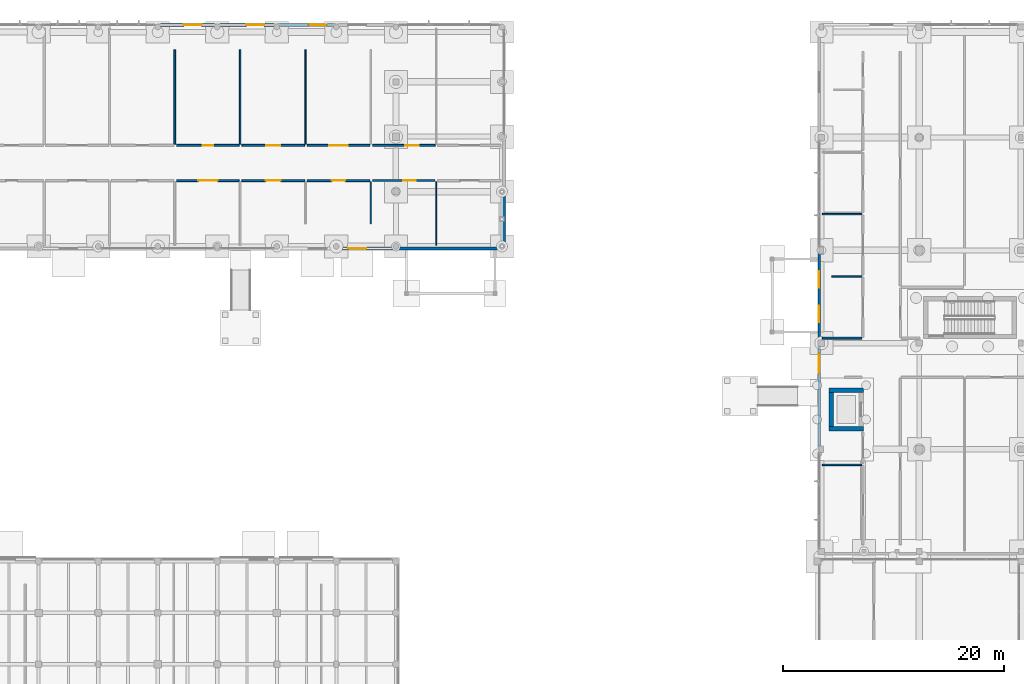
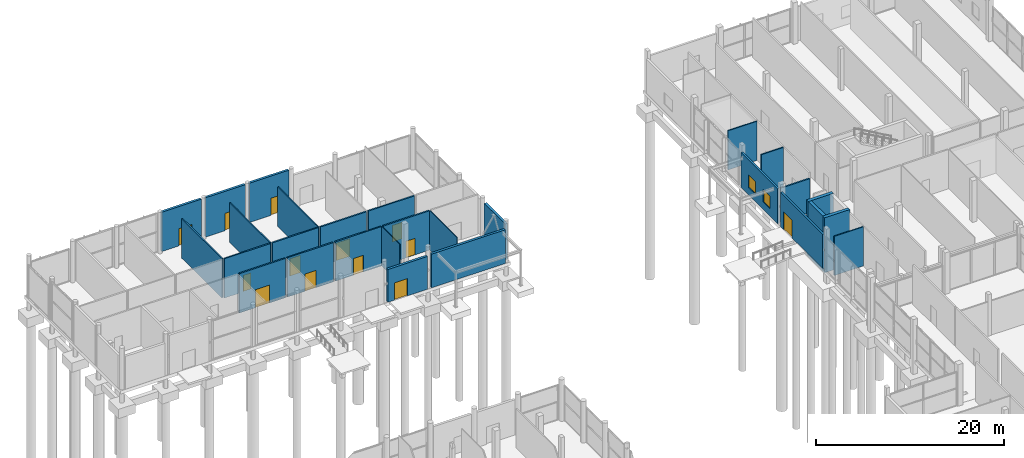
# One storey, part 65 of 88: 28 walls, 13 doors, 2 windows, 15 openings.
"""IFC4 building model written with IfcOpenShell, lengths in metres."""

from ifc_helpers import new_model, si_unit, direction, frame, frame_2d, origin, place, context, subcontext, project, spatial, rectangle, extrude, material, layer, layer_set, type_object, element, fill, save


model = new_model("IFC4")

# Units and contexts
model_context = context("Model", 3, precision=1e-05, world=origin(), true_north=direction((0.0, 1.0)))
body_context = subcontext(model_context, "Body", "Model", "MODEL_VIEW")
ifc_project = project(units=[si_unit("LENGTHUNIT", "METRE"), si_unit("AREAUNIT", "SQUARE_METRE"), si_unit("VOLUMEUNIT", "CUBIC_METRE"), si_unit("PLANEANGLEUNIT", "RADIAN"), si_unit("MASSUNIT", "GRAM", prefix="KILO")], contexts=[model_context])

# Site, building, storey
site_placement = place(None, origin())
site = spatial("IfcSite", under=ifc_project, at=site_placement, CompositionType="ELEMENT")
building_placement = place(site_placement, origin())
building = spatial("IfcBuilding", under=site, at=building_placement, Name="Birchvale Park Specialist Clinic", CompositionType="ELEMENT")
storey_placement = place(building_placement, origin())
storey = spatial("IfcBuildingStorey", under=building, at=storey_placement, Name="L00", CompositionType="ELEMENT", Elevation=0.0)

# Walls
ifc_material_1 = material(Name="Concrete C40/50", Category="concrete")
ifc_layer_1 = layer(ifc_material_1, 0.39990234375)
ifc_layer_set_1 = layer_set([ifc_layer_1], Name="Concrete C40/50")
wall_type_1 = type_object("IfcWallType", Name="WL-CW-120", PredefinedType="SHEAR", material=ifc_layer_set_1)
for number, where, z_axis, x_axis, name in (
    (1, (129.050048828125, 75.050048828125, -1.75), (0.0, 0.0, 1.0), (1.0, 0.0, 0.0), "L00 lift LP2 shaft wall (south)"),
    (2, (132.14990234375, 78.550048828125, -1.75), (0.0, 0.0, 1.0), (-1.0, 0.0, 0.0), "L00 lift LP2 shaft wall (north)"),
):
    element("IfcWall", number, at=place(storey_placement, frame(where, z_axis=z_axis, x_axis=x_axis)), inside=storey, type_object=wall_type_1, Name=name, PredefinedType="SHEAR", context=body_context, shape_type="SweptSolid", body=[
        extrude(rectangle(XDim=3.099853515625, YDim=0.39990234375, at=frame_2d((1.5498046875, 0.0))), origin(), (0.0, 0.0, 1.0), 7.14990234375),
    ])
wall_1_placement = place(storey_placement, frame((129.25, 75.25, -1.75), z_axis=(0.0, 0.0, 1.0), x_axis=(0.0, 1.0, 0.0)))
element("IfcWall", 3, at=wall_1_placement, inside=storey, type_object=wall_type_1, Name="L00 lift LP2 shaft wall (west)", PredefinedType="SHEAR", context=body_context, shape_type="SweptSolid", body=[
    extrude(rectangle(XDim=3.10009765625, YDim=0.39990234375, at=frame_2d((1.550048828125, 0.0))), origin(), (0.0, 0.0, 1.0), 7.14990234375),
])

# Wall, opening, door
ifc_material_2 = material(Name="Lime-white mineral-rendered insulated masonry", Category="masonry")
ifc_layer_2 = layer(ifc_material_2, 0.2900390625)
ifc_layer_set_2 = layer_set([ifc_layer_2], Name="Lime-white mineral-rendered insulated masonry")
wall_type_2 = type_object("IfcWallType", Name="WL-EW-03", PredefinedType="STANDARD", material=ifc_layer_set_2)
wall_2_placement = place(storey_placement, frame((84.71923828125, 91.364990234375, 0.0), z_axis=(0.0, 0.0, 1.0), x_axis=(1.0, 0.0, 0.0)))
wall_2 = element("IfcWall", 4, at=wall_2_placement, inside=storey, type_object=wall_type_2, Name="V3 L00 exterior facade wall 53", PredefinedType="STANDARD", context=body_context, shape_type="SweptSolid", body=[
    extrude(rectangle(XDim=4.875732421875, YDim=0.2900390625, at=frame_2d((2.43798828125, 0.0))), origin(), (0.0, 0.0, 1.0), 4.264892578125),
])
opening_1_placement = place(wall_2_placement, frame((0.832763671875, 0.0, 0.0)))
opening_1 = element("IfcOpeningElement", 5, at=opening_1_placement, cuts=wall_2, Name="Opening ED-04", PredefinedType="OPENING", context=body_context, shape_type="SweptSolid", body=[
    extrude(rectangle(XDim=1.60009765625, YDim=2.25, at=frame_2d((0.800048828125, 1.125))), frame((0.0, 0.155029296875, 0.0), z_axis=(0.0, -1.0, 0.0), x_axis=(1.0, 0.0, 0.0)), (0.0, 0.0, 1.0), 0.31005859375),
])
ifc_material_3 = material(Name="Powder-coated aluminium and laminated safety glass", Category="aluminium")
door_type_1 = type_object("IfcDoorType", Name="DR-ED-04", OperationType="DOUBLE_DOOR_SINGLE_SWING", PredefinedType="DOOR", material=ifc_material_3)
door_1_placement = place(opening_1_placement, frame((1.60009765625, 0.0, 0.0), z_axis=(0.0, 0.0, 1.0), x_axis=(-1.0, 0.0, 0.0)))
door_1 = element("IfcDoor", 6, at=door_1_placement, inside=storey, type_object=door_type_1, Name="L00 V3 final exit double door 16", OperationType="DOUBLE_DOOR_SINGLE_SWING", OverallHeight=2.25, OverallWidth=1.60009765625, PredefinedType="DOOR", context=body_context, shape_type="SweptSolid", body=[
    extrude(rectangle(XDim=1.60009765625, YDim=2.25, at=frame_2d((0.800048828125, 1.125))), frame((0.0, 0.02490234375, 0.0), z_axis=(0.0, -1.0, 0.0), x_axis=(1.0, 0.0, 0.0)), (0.0, 0.0, 1.0), 0.050048828125),
])
fill(opening_1, door_1)

# Walls
wall_3_placement = place(storey_placement, frame((90.10498046875, 91.364990234375, 0.0), z_axis=(0.0, 0.0, 1.0), x_axis=(1.0, 0.0, 0.0)))
element("IfcWall", 7, at=wall_3_placement, inside=storey, type_object=wall_type_2, Name="V3 L00 exterior facade wall 54", PredefinedType="STANDARD", context=body_context, shape_type="SweptSolid", body=[
    extrude(rectangle(XDim=9.090087890625, YDim=0.2900390625, at=frame_2d((4.544921875, 0.0))), origin(), (0.0, 0.0, 1.0), 4.389892578125),
])
wall_4_placement = place(storey_placement, frame((99.635009765625, 91.804931640625, 0.0), z_axis=(0.0, 0.0, 1.0), x_axis=(0.0, 1.0, 0.0)))
element("IfcWall", 8, at=wall_4_placement, inside=storey, type_object=wall_type_2, Name="V3 L00 exterior facade wall 55", PredefinedType="STANDARD", context=body_context, shape_type="SweptSolid", body=[
    extrude(rectangle(XDim=4.45263671875, YDim=0.2900390625, at=frame_2d((2.226318359375, 0.0))), origin(), (0.0, 0.0, 1.0), 4.669921875),
])

# Wall, opening, door
wall_5_placement = place(storey_placement, frame((84.209228515625, 111.5849609375, 0.0), z_axis=(0.0, 0.0, 1.0), x_axis=(-1.0, 0.0, 0.0)))
wall_5 = element("IfcWall", 9, at=wall_5_placement, inside=storey, type_object=wall_type_2, Name="V3 L00 exterior facade wall 58", PredefinedType="STANDARD", context=body_context, shape_type="SweptSolid", body=[
    extrude(rectangle(XDim=4.875732421875, YDim=0.2900390625, at=frame_2d((2.43798828125, 0.0))), origin(), (0.0, 0.0, 1.0), 5.125),
])
opening_2_placement = place(wall_5_placement, frame((0.632080078125, 0.0, 0.0)))
opening_2 = element("IfcOpeningElement", 10, at=opening_2_placement, cuts=wall_5, Name="Opening ED-04", PredefinedType="OPENING", context=body_context, shape_type="SweptSolid", body=[
    extrude(rectangle(XDim=1.60009765625, YDim=2.25, at=frame_2d((0.800048828125, 1.125))), frame((0.0, 0.155029296875, 0.0), z_axis=(0.0, -1.0, 0.0), x_axis=(1.0, 0.0, 0.0)), (0.0, 0.0, 1.0), 0.31005859375),
])
door_2_placement = place(opening_2_placement, frame((1.60009765625, 0.0, 0.0), z_axis=(0.0, 0.0, 1.0), x_axis=(-1.0, 0.0, 0.0)))
door_2 = element("IfcDoor", 11, at=door_2_placement, inside=storey, type_object=door_type_1, Name="L00 V3 final exit double door 18", OperationType="DOUBLE_DOOR_SINGLE_SWING", OverallHeight=2.25, OverallWidth=1.60009765625, PredefinedType="DOOR", context=body_context, shape_type="SweptSolid", body=[
    extrude(rectangle(XDim=1.60009765625, YDim=2.25, at=frame_2d((0.800048828125, 1.125))), frame((0.0, 0.02490234375, 0.0), z_axis=(0.0, -1.0, 0.0), x_axis=(1.0, 0.0, 0.0)), (0.0, 0.0, 1.0), 0.050048828125),
])
fill(opening_2, door_2)

wall_6_placement = place(storey_placement, frame((78.823486328125, 111.5849609375, 0.0), z_axis=(0.0, 0.0, 1.0), x_axis=(-1.0, 0.0, 0.0)))
wall_6 = element("IfcWall", 12, at=wall_6_placement, inside=storey, type_object=wall_type_2, Name="V3 L00 exterior facade wall 59", PredefinedType="STANDARD", context=body_context, shape_type="SweptSolid", body=[
    extrude(rectangle(XDim=4.87548828125, YDim=0.2900390625, at=frame_2d((2.437744140625, 0.0))), origin(), (0.0, 0.0, 1.0), 5.125),
])
opening_3_placement = place(wall_6_placement, frame((0.894287109375, 0.0, 0.0)))
opening_3 = element("IfcOpeningElement", 13, at=opening_3_placement, cuts=wall_6, Name="Opening ED-04", PredefinedType="OPENING", context=body_context, shape_type="SweptSolid", body=[
    extrude(rectangle(XDim=1.60009765625, YDim=2.25, at=frame_2d((0.800048828125, 1.125))), frame((0.0, 0.155029296875, 0.0), z_axis=(0.0, -1.0, 0.0), x_axis=(1.0, 0.0, 0.0)), (0.0, 0.0, 1.0), 0.31005859375),
])
door_3_placement = place(opening_3_placement, frame((1.60009765625, 0.0, 0.0), z_axis=(0.0, 0.0, 1.0), x_axis=(-1.0, 0.0, 0.0)))
door_3 = element("IfcDoor", 14, at=door_3_placement, inside=storey, type_object=door_type_1, Name="L00 V3 final exit double door 19", OperationType="DOUBLE_DOOR_SINGLE_SWING", OverallHeight=2.25, OverallWidth=1.60009765625, PredefinedType="DOOR", context=body_context, shape_type="SweptSolid", body=[
    extrude(rectangle(XDim=1.60009765625, YDim=2.25, at=frame_2d((0.800048828125, 1.125))), frame((0.0, 0.02490234375, 0.0), z_axis=(0.0, -1.0, 0.0), x_axis=(1.0, 0.0, 0.0)), (0.0, 0.0, 1.0), 0.050048828125),
])
fill(opening_3, door_3)

wall_7_placement = place(storey_placement, frame((73.43798828125, 111.5849609375, 0.0), z_axis=(0.0, 0.0, 1.0), x_axis=(-1.0, 0.0, 0.0)))
wall_7 = element("IfcWall", 15, at=wall_7_placement, inside=storey, type_object=wall_type_2, Name="V3 L00 exterior facade wall 60", PredefinedType="STANDARD", context=body_context, shape_type="SweptSolid", body=[
    extrude(rectangle(XDim=4.8759765625, YDim=0.2900390625, at=frame_2d((2.43798828125, 0.0))), origin(), (0.0, 0.0, 1.0), 5.125),
])
opening_4_placement = place(wall_7_placement, frame((1.156494140625, 0.0, 0.0)))
opening_4 = element("IfcOpeningElement", 16, at=opening_4_placement, cuts=wall_7, Name="Opening ED-04", PredefinedType="OPENING", context=body_context, shape_type="SweptSolid", body=[
    extrude(rectangle(XDim=1.60009765625, YDim=2.25, at=frame_2d((0.800048828125, 1.125))), frame((0.0, 0.155029296875, 0.0), z_axis=(0.0, -1.0, 0.0), x_axis=(1.0, 0.0, 0.0)), (0.0, 0.0, 1.0), 0.31005859375),
])
door_4_placement = place(opening_4_placement, frame((1.60009765625, 0.0, 0.0), z_axis=(0.0, 0.0, 1.0), x_axis=(-1.0, 0.0, 0.0)))
door_4 = element("IfcDoor", 17, at=door_4_placement, inside=storey, type_object=door_type_1, Name="L00 V3 final exit double door 20", OperationType="DOUBLE_DOOR_SINGLE_SWING", OverallHeight=2.25, OverallWidth=1.60009765625, PredefinedType="DOOR", context=body_context, shape_type="SweptSolid", body=[
    extrude(rectangle(XDim=1.60009765625, YDim=2.25, at=frame_2d((0.800048828125, 1.125))), frame((0.0, 0.02490234375, 0.0), z_axis=(0.0, -1.0, 0.0), x_axis=(1.0, 0.0, 0.0)), (0.0, 0.0, 1.0), 0.050048828125),
])
fill(opening_4, door_4)

# Wall, openings, windows
ifc_layer_3 = layer(ifc_material_2, 0.25)
ifc_layer_set_3 = layer_set([ifc_layer_3], Name="Lime-white mineral-rendered insulated masonry")
wall_type_3 = type_object("IfcWallType", Name="WL-EW-05", PredefinedType="STANDARD", material=ifc_layer_set_3)
wall_8_placement = place(storey_placement, frame((128.14501953125, 90.9150390625, 0.0), z_axis=(0.0, 0.0, 1.0), x_axis=(0.0, -1.0, 0.0)))
wall_8 = element("IfcWall", 18, at=wall_8_placement, inside=storey, type_object=wall_type_3, Name="V6 L00 exterior facade wall 112", PredefinedType="STANDARD", context=body_context, shape_type="SweptSolid", body=[
    extrude(rectangle(XDim=7.830078125, YDim=0.25, at=frame_2d((3.9150390625, 0.0))), origin(), (0.0, 0.0, 1.0), 4.544921875),
])
opening_5_placement = place(wall_8_placement, frame((1.59912109375, 0.0, 0.949951171875)))
opening_5 = element("IfcOpeningElement", 19, at=opening_5_placement, cuts=wall_8, Name="Opening W-CL03", PredefinedType="OPENING", context=body_context, shape_type="SweptSolid", body=[
    extrude(rectangle(XDim=1.5, YDim=1.64990234375, at=frame_2d((0.75, 0.824951171875))), frame((0.0, 0.135009765625, 0.0), z_axis=(0.0, -1.0, 0.0), x_axis=(1.0, 0.0, 0.0)), (0.0, 0.0, 1.0), 0.27001953125),
])
opening_6_placement = place(wall_8_placement, frame((4.73095703125, 0.0, 0.949951171875)))
opening_6 = element("IfcOpeningElement", 20, at=opening_6_placement, cuts=wall_8, Name="Opening W-CL03", PredefinedType="OPENING", context=body_context, shape_type="SweptSolid", body=[
    extrude(rectangle(XDim=1.5, YDim=1.64990234375, at=frame_2d((0.75, 0.824951171875))), frame((0.0, 0.135009765625, 0.0), z_axis=(0.0, -1.0, 0.0), x_axis=(1.0, 0.0, 0.0)), (0.0, 0.0, 1.0), 0.27001953125),
])
ifc_material_4 = material(Name="Solar-control low-E double glazing", Category="glass")
window_type = type_object("IfcWindowType", Name="WIN-W-CL03", PartitioningType="SINGLE_PANEL", PredefinedType="WINDOW", material=ifc_material_4)
window_1_placement = place(opening_5_placement, origin())
window_1 = element("IfcWindow", 21, at=window_1_placement, inside=storey, type_object=window_type, Name="V6 L00 cased window 23", OverallHeight=1.64990234375, OverallWidth=1.5, PartitioningType="SINGLE_PANEL", PredefinedType="WINDOW", context=body_context, shape_type="SweptSolid", body=[
    extrude(rectangle(XDim=1.5, YDim=1.64990234375, at=frame_2d((0.75, 0.824951171875))), frame((0.0, 0.030029296875, 0.0), z_axis=(0.0, -1.0, 0.0), x_axis=(1.0, 0.0, 0.0)), (0.0, 0.0, 1.0), 0.06005859375),
])
fill(opening_5, window_1)
window_2_placement = place(opening_6_placement, origin())
window_2 = element("IfcWindow", 22, at=window_2_placement, inside=storey, type_object=window_type, Name="V6 L00 cased window 24", OverallHeight=1.64990234375, OverallWidth=1.5, PartitioningType="SINGLE_PANEL", PredefinedType="WINDOW", context=body_context, shape_type="SweptSolid", body=[
    extrude(rectangle(XDim=1.5, YDim=1.64990234375, at=frame_2d((0.75, 0.824951171875))), frame((0.0, 0.030029296875, 0.0), z_axis=(0.0, -1.0, 0.0), x_axis=(1.0, 0.0, 0.0)), (0.0, 0.0, 1.0), 0.06005859375),
])
fill(opening_6, window_2)

# Wall, opening, door
wall_9_placement = place(storey_placement, frame((128.14501953125, 82.514892578125, 0.0), z_axis=(0.0, 0.0, 1.0), x_axis=(0.0, -1.0, 0.0)))
wall_9 = element("IfcWall", 23, at=wall_9_placement, inside=storey, type_object=wall_type_3, Name="V6 L00 exterior facade wall 113", PredefinedType="STANDARD", context=body_context, shape_type="SweptSolid", body=[
    extrude(rectangle(XDim=9.02978515625, YDim=0.25, at=frame_2d((4.514892578125, 0.0))), origin(), (0.0, 0.0, 1.0), 4.445068359375),
])
opening_7_placement = place(wall_9_placement, frame((0.655029296875, 0.0, 0.0)))
opening_7 = element("IfcOpeningElement", 24, at=opening_7_placement, cuts=wall_9, Name="Opening ED-03", PredefinedType="OPENING", context=body_context, shape_type="SweptSolid", body=[
    extrude(rectangle(XDim=1.800048828125, YDim=2.300048828125, at=frame_2d((0.89990234375, 1.14990234375))), frame((0.0, 0.135009765625, 0.0), z_axis=(0.0, -1.0, 0.0), x_axis=(1.0, 0.0, 0.0)), (0.0, 0.0, 1.0), 0.27001953125),
])
door_type_2 = type_object("IfcDoorType", Name="DR-ED-03", OperationType="DOUBLE_DOOR_SINGLE_SWING", PredefinedType="DOOR", material=ifc_material_3)
door_5_placement = place(opening_7_placement, frame((1.800048828125, 0.0, 0.0), z_axis=(0.0, 0.0, 1.0), x_axis=(-1.0, 0.0, 0.0)))
door_5 = element("IfcDoor", 25, at=door_5_placement, inside=storey, type_object=door_type_2, Name="L00 V6 final exit double door 32", OperationType="DOUBLE_DOOR_SINGLE_SWING", OverallHeight=2.300048828125, OverallWidth=1.800048828125, PredefinedType="DOOR", context=body_context, shape_type="SweptSolid", body=[
    extrude(rectangle(XDim=1.800048828125, YDim=2.300048828125, at=frame_2d((0.89990234375, 1.14990234375))), frame((0.0, 0.02490234375, 0.0), z_axis=(0.0, -1.0, 0.0), x_axis=(1.0, 0.0, 0.0)), (0.0, 0.0, 1.0), 0.050048828125),
])
fill(opening_7, door_5)

# Walls
ifc_material_5 = material(Name="Acoustic gypsum board on metal framing")
ifc_layer_4 = layer(ifc_material_5, 0.14990234375)
ifc_layer_set_4 = layer_set([ifc_layer_4], Name="Acoustic gypsum board on metal framing")
wall_type_4 = type_object("IfcWallType", Name="WL-IW-02", PredefinedType="PARTITIONING", material=ifc_layer_set_4)
wall_10_placement = place(storey_placement, frame((69.85009765625, 109.35498046875, 0.0), z_axis=(0.0, 0.0, 1.0), x_axis=(0.0, -1.0, 0.0)))
element("IfcWall", 26, at=wall_10_placement, inside=storey, type_object=wall_type_4, Name="V3 L00 clinical partition 164", PredefinedType="PARTITIONING", context=body_context, shape_type="SweptSolid", body=[
    extrude(rectangle(XDim=8.574951171875, YDim=0.14990234375, at=frame_2d((4.28759765625, 0.0))), origin(), (0.0, 0.0, 1.0), 5.125),
])
wall_11_placement = place(storey_placement, frame((129.294921875, 88.837890625, 0.0), z_axis=(0.0, 0.0, 1.0), x_axis=(1.0, 0.0, 0.0)))
element("IfcWall", 27, at=wall_11_placement, inside=storey, type_object=wall_type_4, Name="V6 L00 clinical partition 264", PredefinedType="PARTITIONING", context=body_context, shape_type="SweptSolid", body=[
    extrude(rectangle(XDim=2.72509765625, YDim=0.14990234375, at=frame_2d((1.362548828125, 0.0))), origin(), (0.0, 0.0, 1.0), 5.10009765625),
])
ifc_layer_5 = layer(ifc_material_5, 0.139892578125)
ifc_layer_set_5 = layer_set([ifc_layer_5], Name="Acoustic gypsum board on metal framing")
wall_type_5 = type_object("IfcWallType", Name="WL-IW-03", PredefinedType="PARTITIONING", material=ifc_layer_set_5)
wall_12_placement = place(storey_placement, frame((75.760009765625, 109.35498046875, 0.0), z_axis=(0.0, 0.0, 1.0), x_axis=(0.0, -1.0, 0.0)))
element("IfcWall", 28, at=wall_12_placement, inside=storey, type_object=wall_type_5, Name="V3 L00 clinical partition 166", PredefinedType="PARTITIONING", context=body_context, shape_type="SweptSolid", body=[
    extrude(rectangle(XDim=8.574951171875, YDim=0.139892578125, at=frame_2d((4.28759765625, 0.0))), origin(), (0.0, 0.0, 1.0), 5.125),
])
for number, where, z_axis, x_axis, name in (
    (29, (128.43994140625, 71.7900390625, 0.0), (0.0, 0.0, 1.0), (1.0, 0.0, 0.0), "V6 L00 clinical partition 250"),
    (30, (128.43994140625, 94.466064453125, 0.0), (0.0, 0.0, 1.0), (1.0, 0.0, 0.0), "V6 L00 clinical partition 267"),
):
    element("IfcWall", number, at=place(storey_placement, frame(where, z_axis=z_axis, x_axis=x_axis)), inside=storey, type_object=wall_type_5, Name=name, PredefinedType="PARTITIONING", context=body_context, shape_type="SweptSolid", body=[
        extrude(rectangle(XDim=3.580078125, YDim=0.139892578125, at=frame_2d((1.7900390625, 0.0))), origin(), (0.0, 0.0, 1.0), 5.10009765625),
    ])
ifc_layer_6 = layer(ifc_material_5, 0.125)
ifc_layer_set_6 = layer_set([ifc_layer_6], Name="Acoustic gypsum board on metal framing")
wall_type_6 = type_object("IfcWallType", Name="WL-IW-04", PredefinedType="PARTITIONING", material=ifc_layer_set_6)
wall_13_placement = place(storey_placement, frame((81.669921875, 109.35498046875, 0.0), z_axis=(0.0, 0.0, 1.0), x_axis=(0.0, -1.0, 0.0)))
element("IfcWall", 31, at=wall_13_placement, inside=storey, type_object=wall_type_6, Name="V3 L00 clinical partition 168", PredefinedType="PARTITIONING", context=body_context, shape_type="SweptSolid", body=[
    extrude(rectangle(XDim=8.574951171875, YDim=0.125, at=frame_2d((4.28759765625, 0.0))), origin(), (0.0, 0.0, 1.0), 5.125),
])
ifc_layer_7 = layer(ifc_material_5, 0.114990234375)
ifc_layer_set_7 = layer_set([ifc_layer_7], Name="Acoustic gypsum board on metal framing")
wall_type_7 = type_object("IfcWallType", Name="WL-IW-05", PredefinedType="PARTITIONING", material=ifc_layer_set_7)
wall_14_placement = place(storey_placement, frame((87.580078125, 97.419921875, 0.0), z_axis=(0.0, 0.0, 1.0), x_axis=(0.0, -1.0, 0.0)))
element("IfcWall", 32, at=wall_14_placement, inside=storey, type_object=wall_type_7, Name="V3 L00 clinical partition 155", PredefinedType="PARTITIONING", context=body_context, shape_type="SweptSolid", body=[
    extrude(rectangle(XDim=3.824951171875, YDim=0.114990234375, at=frame_2d((1.91259765625, 0.0))), origin(), (0.0, 0.0, 1.0), 5.125),
])
ifc_layer_8 = layer(ifc_material_5, 0.10009765625)
ifc_layer_set_8 = layer_set([ifc_layer_8], Name="Acoustic gypsum board on metal framing")
wall_type_8 = type_object("IfcWallType", Name="WL-IW-06", PredefinedType="PARTITIONING", material=ifc_layer_set_8)
wall_15_placement = place(storey_placement, frame((93.489990234375, 97.419921875, 0.0), z_axis=(0.0, 0.0, 1.0), x_axis=(0.0, -1.0, 0.0)))
element("IfcWall", 33, at=wall_15_placement, inside=storey, type_object=wall_type_8, Name="V3 L00 clinical partition 157", PredefinedType="PARTITIONING", context=body_context, shape_type="SweptSolid", body=[
    extrude(rectangle(XDim=5.780029296875, YDim=0.10009765625, at=frame_2d((2.89013671875, 0.0))), origin(), (0.0, 0.0, 1.0), 5.125),
])

# Wall, opening, door
ifc_layer_9 = layer(ifc_material_5, 0.179931640625)
ifc_layer_set_9 = layer_set([ifc_layer_9], Name="Acoustic gypsum board on metal framing")
wall_type_9 = type_object("IfcWallType", Name="WL-IW-60", PredefinedType="PARTITIONING", material=ifc_layer_set_9)
wall_16_placement = place(storey_placement, frame((70.010009765625, 97.5, 0.0), z_axis=(0.0, 0.0, 1.0), x_axis=(1.0, 0.0, 0.0)))
wall_16 = element("IfcWall", 34, at=wall_16_placement, inside=storey, type_object=wall_type_9, Name="V3 L00 clinical partition 150", PredefinedType="PARTITIONING", context=body_context, shape_type="SweptSolid", body=[
    extrude(rectangle(XDim=5.669921875, YDim=0.179931640625, at=frame_2d((2.8349609375, 0.0))), origin(), (0.0, 0.0, 1.0), 5.125),
])
opening_8_placement = place(wall_16_placement, frame((1.9599609375, 0.0, 0.0)))
opening_8 = element("IfcOpeningElement", 35, at=opening_8_placement, cuts=wall_16, Name="Opening ID-09", PredefinedType="OPENING", context=body_context, shape_type="SweptSolid", body=[
    extrude(rectangle(XDim=1.75, YDim=2.35009765625, at=frame_2d((0.875, 1.175048828125))), frame((0.0, 0.10009765625, 0.0), z_axis=(0.0, -1.0, 0.0), x_axis=(1.0, 0.0, 0.0)), (0.0, 0.0, 1.0), 0.199951171875),
])
ifc_material_6 = material(Name="Solid-core birch veneer and anodised aluminium", Category="aluminium")
door_type_3 = type_object("IfcDoorType", Name="DR-ID-09", OperationType="DOUBLE_DOOR_SINGLE_SWING", PredefinedType="DOOR", material=ifc_material_6)
door_6_placement = place(opening_8_placement, origin())
door_6 = element("IfcDoor", 36, at=door_6_placement, inside=storey, type_object=door_type_3, Name="L00 Community Health Room door", OperationType="DOUBLE_DOOR_SINGLE_SWING", OverallHeight=2.35009765625, OverallWidth=1.75, PredefinedType="DOOR", context=body_context, shape_type="SweptSolid", body=[
    extrude(rectangle(XDim=1.75, YDim=2.35009765625, at=frame_2d((0.875, 1.175048828125))), frame((0.0, 0.02490234375, 0.0), z_axis=(0.0, -1.0, 0.0), x_axis=(1.0, 0.0, 0.0)), (0.0, 0.0, 1.0), 0.050048828125),
])
fill(opening_8, door_6)

wall_17_placement = place(storey_placement, frame((75.919921875, 97.5, 0.0), z_axis=(0.0, 0.0, 1.0), x_axis=(1.0, 0.0, 0.0)))
wall_17 = element("IfcWall", 37, at=wall_17_placement, inside=storey, type_object=wall_type_9, Name="V3 L00 clinical partition 152", PredefinedType="PARTITIONING", context=body_context, shape_type="SweptSolid", body=[
    extrude(rectangle(XDim=5.670166015625, YDim=0.179931640625, at=frame_2d((2.8349609375, 0.0))), origin(), (0.0, 0.0, 1.0), 5.125),
])
opening_9_placement = place(wall_17_placement, frame((2.14501953125, 0.0, 0.0)))
opening_9 = element("IfcOpeningElement", 38, at=opening_9_placement, cuts=wall_17, Name="Opening ID-06", PredefinedType="OPENING", context=body_context, shape_type="SweptSolid", body=[
    extrude(rectangle(XDim=1.3798828125, YDim=2.25, at=frame_2d((0.68994140625, 1.125))), frame((0.0, 0.10009765625, 0.0), z_axis=(0.0, -1.0, 0.0), x_axis=(1.0, 0.0, 0.0)), (0.0, 0.0, 1.0), 0.199951171875),
])
door_type_4 = type_object("IfcDoorType", Name="DR-ID-06", OperationType="NOTDEFINED", PredefinedType="DOOR", material=ifc_material_6)
door_7_placement = place(opening_9_placement, origin())
door_7 = element("IfcDoor", 39, at=door_7_placement, inside=storey, type_object=door_type_4, Name="L00 Patient Education Lounge door", OperationType="SINGLE_SWING_RIGHT", OverallHeight=2.25, OverallWidth=1.3798828125, PredefinedType="DOOR", context=body_context, shape_type="SweptSolid", body=[
    extrude(rectangle(XDim=1.3798828125, YDim=2.25, at=frame_2d((0.68994140625, 1.125))), frame((0.0, 0.02490234375, 0.0), z_axis=(0.0, -1.0, 0.0), x_axis=(1.0, 0.0, 0.0)), (0.0, 0.0, 1.0), 0.050048828125),
])
fill(opening_9, door_7)

wall_18_placement = place(storey_placement, frame((81.830078125, 97.5, 0.0), z_axis=(0.0, 0.0, 1.0), x_axis=(1.0, 0.0, 0.0)))
wall_18 = element("IfcWall", 40, at=wall_18_placement, inside=storey, type_object=wall_type_9, Name="V3 L00 clinical partition 154", PredefinedType="PARTITIONING", context=body_context, shape_type="SweptSolid", body=[
    extrude(rectangle(XDim=5.669921875, YDim=0.179931640625, at=frame_2d((2.8349609375, 0.0))), origin(), (0.0, 0.0, 1.0), 5.125),
])
opening_10_placement = place(wall_18_placement, frame((2.22509765625, 0.0, 0.0)))
opening_10 = element("IfcOpeningElement", 41, at=opening_10_placement, cuts=wall_18, Name="Opening ID-10", PredefinedType="OPENING", context=body_context, shape_type="SweptSolid", body=[
    extrude(rectangle(XDim=1.219970703125, YDim=2.179931640625, at=frame_2d((0.60986328125, 1.08984375))), frame((0.0, 0.10009765625, 0.0), z_axis=(0.0, -1.0, 0.0), x_axis=(1.0, 0.0, 0.0)), (0.0, 0.0, 1.0), 0.199951171875),
])
door_type_5 = type_object("IfcDoorType", Name="DR-ID-10", OperationType="NOTDEFINED", PredefinedType="DOOR", material=ifc_material_6)
door_8_placement = place(opening_10_placement, origin())
door_8 = element("IfcDoor", 42, at=door_8_placement, inside=storey, type_object=door_type_5, Name="L00 Botanical Therapy Pavilion door", OperationType="SINGLE_SWING_LEFT", OverallHeight=2.179931640625, OverallWidth=1.219970703125, PredefinedType="DOOR", context=body_context, shape_type="SweptSolid", body=[
    extrude(rectangle(XDim=1.219970703125, YDim=2.179931640625, at=frame_2d((0.60986328125, 1.08984375))), frame((0.0, 0.02490234375, 0.0), z_axis=(0.0, -1.0, 0.0), x_axis=(1.0, 0.0, 0.0)), (0.0, 0.0, 1.0), 0.050048828125),
])
fill(opening_10, door_8)

wall_19_placement = place(storey_placement, frame((87.739990234375, 97.5, 0.0), z_axis=(0.0, 0.0, 1.0), x_axis=(1.0, 0.0, 0.0)))
wall_19 = element("IfcWall", 43, at=wall_19_placement, inside=storey, type_object=wall_type_9, Name="V3 L00 clinical partition 156", PredefinedType="PARTITIONING", context=body_context, shape_type="SweptSolid", body=[
    extrude(rectangle(XDim=5.669921875, YDim=0.179931640625, at=frame_2d((2.8349609375, 0.0))), origin(), (0.0, 0.0, 1.0), 5.125),
])
opening_11_placement = place(wall_19_placement, frame((2.77490234375, 0.0, 0.0)))
opening_11 = element("IfcOpeningElement", 44, at=opening_11_placement, cuts=wall_19, Name="Opening ID-11", PredefinedType="OPENING", context=body_context, shape_type="SweptSolid", body=[
    extrude(rectangle(XDim=1.1201171875, YDim=2.159912109375, at=frame_2d((0.56005859375, 1.080078125))), frame((0.0, 0.10009765625, 0.0), z_axis=(0.0, -1.0, 0.0), x_axis=(1.0, 0.0, 0.0)), (0.0, 0.0, 1.0), 0.199951171875),
])
door_type_6 = type_object("IfcDoorType", Name="DR-ID-11", OperationType="NOTDEFINED", PredefinedType="DOOR", material=ifc_material_6)
door_9_placement = place(opening_11_placement, origin())
door_9 = element("IfcDoor", 45, at=door_9_placement, inside=storey, type_object=door_type_6, Name="L00 Botanical Therapy Pavilion door", OperationType="SINGLE_SWING_RIGHT", OverallHeight=2.159912109375, OverallWidth=1.1201171875, PredefinedType="DOOR", context=body_context, shape_type="SweptSolid", body=[
    extrude(rectangle(XDim=1.1201171875, YDim=2.159912109375, at=frame_2d((0.56005859375, 1.080078125))), frame((0.0, 0.02490234375, 0.0), z_axis=(0.0, -1.0, 0.0), x_axis=(1.0, 0.0, 0.0)), (0.0, 0.0, 1.0), 0.050048828125),
])
fill(opening_11, door_9)

wall_20_placement = place(storey_placement, frame((75.679931640625, 100.699951171875, 0.0), z_axis=(0.0, 0.0, 1.0), x_axis=(-1.0, 0.0, 0.0)))
wall_20 = element("IfcWall", 46, at=wall_20_placement, inside=storey, type_object=wall_type_9, Name="V3 L00 clinical partition 165", PredefinedType="PARTITIONING", context=body_context, shape_type="SweptSolid", body=[
    extrude(rectangle(XDim=5.669921875, YDim=0.179931640625, at=frame_2d((2.8349609375, 0.0))), origin(), (0.0, 0.0, 1.0), 5.125),
])
opening_12_placement = place(wall_20_placement, frame((2.35498046875, 0.0, 0.0)))
opening_12 = element("IfcOpeningElement", 47, at=opening_12_placement, cuts=wall_20, Name="Opening ID-04", PredefinedType="OPENING", context=body_context, shape_type="SweptSolid", body=[
    extrude(rectangle(XDim=0.9599609375, YDim=2.10009765625, at=frame_2d((0.47998046875, 1.050048828125))), frame((0.0, 0.10009765625, 0.0), z_axis=(0.0, -1.0, 0.0), x_axis=(1.0, 0.0, 0.0)), (0.0, 0.0, 1.0), 0.199951171875),
])
door_type_7 = type_object("IfcDoorType", Name="DR-ID-04", OperationType="NOTDEFINED", PredefinedType="DOOR", material=ifc_material_6)
door_10_placement = place(opening_12_placement, origin())
door_10 = element("IfcDoor", 48, at=door_10_placement, inside=storey, type_object=door_type_7, Name="L00 Botanical Therapy Pavilion door", OperationType="SINGLE_SWING_LEFT", OverallHeight=2.10009765625, OverallWidth=0.9599609375, PredefinedType="DOOR", context=body_context, shape_type="SweptSolid", body=[
    extrude(rectangle(XDim=0.9599609375, YDim=2.10009765625, at=frame_2d((0.47998046875, 1.050048828125))), frame((0.0, 0.02490234375, 0.0), z_axis=(0.0, -1.0, 0.0), x_axis=(1.0, 0.0, 0.0)), (0.0, 0.0, 1.0), 0.050048828125),
])
fill(opening_12, door_10)

wall_21_placement = place(storey_placement, frame((81.590087890625, 100.699951171875, 0.0), z_axis=(0.0, 0.0, 1.0), x_axis=(-1.0, 0.0, 0.0)))
wall_21 = element("IfcWall", 49, at=wall_21_placement, inside=storey, type_object=wall_type_9, Name="V3 L00 clinical partition 167", PredefinedType="PARTITIONING", context=body_context, shape_type="SweptSolid", body=[
    extrude(rectangle(XDim=5.670166015625, YDim=0.179931640625, at=frame_2d((2.8349609375, 0.0))), origin(), (0.0, 0.0, 1.0), 5.125),
])
opening_13_placement = place(wall_21_placement, frame((2.195068359375, 0.0, 0.0)))
opening_13 = element("IfcOpeningElement", 50, at=opening_13_placement, cuts=wall_21, Name="Opening ID-05", PredefinedType="OPENING", context=body_context, shape_type="SweptSolid", body=[
    extrude(rectangle(XDim=1.280029296875, YDim=2.25, at=frame_2d((0.64013671875, 1.125))), frame((0.0, 0.10009765625, 0.0), z_axis=(0.0, -1.0, 0.0), x_axis=(1.0, 0.0, 0.0)), (0.0, 0.0, 1.0), 0.199951171875),
])
door_type_8 = type_object("IfcDoorType", Name="DR-ID-05", OperationType="NOTDEFINED", PredefinedType="DOOR", material=ifc_material_6)
door_11_placement = place(opening_13_placement, origin())
door_11 = element("IfcDoor", 51, at=door_11_placement, inside=storey, type_object=door_type_8, Name="L00 Botanical Therapy Pavilion door", OperationType="SINGLE_SWING_RIGHT", OverallHeight=2.25, OverallWidth=1.280029296875, PredefinedType="DOOR", context=body_context, shape_type="SweptSolid", body=[
    extrude(rectangle(XDim=1.280029296875, YDim=2.25, at=frame_2d((0.64013671875, 1.125))), frame((0.0, 0.02490234375, 0.0), z_axis=(0.0, -1.0, 0.0), x_axis=(1.0, 0.0, 0.0)), (0.0, 0.0, 1.0), 0.050048828125),
])
fill(opening_13, door_11)

wall_22_placement = place(storey_placement, frame((87.5, 100.699951171875, 0.0), z_axis=(0.0, 0.0, 1.0), x_axis=(-1.0, 0.0, 0.0)))
wall_22 = element("IfcWall", 52, at=wall_22_placement, inside=storey, type_object=wall_type_9, Name="V3 L00 clinical partition 169", PredefinedType="PARTITIONING", context=body_context, shape_type="SweptSolid", body=[
    extrude(rectangle(XDim=5.669921875, YDim=0.179931640625, at=frame_2d((2.8349609375, 0.0))), origin(), (0.0, 0.0, 1.0), 5.125),
])
opening_14_placement = place(wall_22_placement, frame((2.010009765625, 0.0, 0.0)))
opening_14 = element("IfcOpeningElement", 53, at=opening_14_placement, cuts=wall_22, Name="Opening ID-08", PredefinedType="OPENING", context=body_context, shape_type="SweptSolid", body=[
    extrude(rectangle(XDim=1.64990234375, YDim=2.300048828125, at=frame_2d((0.824951171875, 1.14990234375))), frame((0.0, 0.10009765625, 0.0), z_axis=(0.0, -1.0, 0.0), x_axis=(1.0, 0.0, 0.0)), (0.0, 0.0, 1.0), 0.199951171875),
])
door_type_9 = type_object("IfcDoorType", Name="DR-ID-08", OperationType="DOUBLE_DOOR_SINGLE_SWING", PredefinedType="DOOR", material=ifc_material_6)
door_12_placement = place(opening_14_placement, origin())
door_12 = element("IfcDoor", 54, at=door_12_placement, inside=storey, type_object=door_type_9, Name="L00 Winter Conservatory Hall door", OperationType="DOUBLE_DOOR_SINGLE_SWING", OverallHeight=2.300048828125, OverallWidth=1.64990234375, PredefinedType="DOOR", context=body_context, shape_type="SweptSolid", body=[
    extrude(rectangle(XDim=1.64990234375, YDim=2.300048828125, at=frame_2d((0.824951171875, 1.14990234375))), frame((0.0, 0.02490234375, 0.0), z_axis=(0.0, -1.0, 0.0), x_axis=(1.0, 0.0, 0.0)), (0.0, 0.0, 1.0), 0.050048828125),
])
fill(opening_14, door_12)

wall_23_placement = place(storey_placement, frame((93.409912109375, 100.699951171875, 0.0), z_axis=(0.0, 0.0, 1.0), x_axis=(-1.0, 0.0, 0.0)))
wall_23 = element("IfcWall", 55, at=wall_23_placement, inside=storey, type_object=wall_type_9, Name="V3 L00 clinical partition 171", PredefinedType="PARTITIONING", context=body_context, shape_type="SweptSolid", body=[
    extrude(rectangle(XDim=5.669921875, YDim=0.179931640625, at=frame_2d((2.8349609375, 0.0))), origin(), (0.0, 0.0, 1.0), 5.125),
])
opening_15_placement = place(wall_23_placement, frame((1.47509765625, 0.0, 0.0)))
opening_15 = element("IfcOpeningElement", 56, at=opening_15_placement, cuts=wall_23, Name="Opening ID-10", PredefinedType="OPENING", context=body_context, shape_type="SweptSolid", body=[
    extrude(rectangle(XDim=1.219970703125, YDim=2.179931640625, at=frame_2d((0.60986328125, 1.08984375))), frame((0.0, 0.10009765625, 0.0), z_axis=(0.0, -1.0, 0.0), x_axis=(1.0, 0.0, 0.0)), (0.0, 0.0, 1.0), 0.199951171875),
])
door_13_placement = place(opening_15_placement, origin())
door_13 = element("IfcDoor", 57, at=door_13_placement, inside=storey, type_object=door_type_5, Name="L00 Horticultural Rehabilitation Studio door", OperationType="SINGLE_SWING_LEFT", OverallHeight=2.179931640625, OverallWidth=1.219970703125, PredefinedType="DOOR", context=body_context, shape_type="SweptSolid", body=[
    extrude(rectangle(XDim=1.219970703125, YDim=2.179931640625, at=frame_2d((0.60986328125, 1.08984375))), frame((0.0, 0.02490234375, 0.0), z_axis=(0.0, -1.0, 0.0), x_axis=(1.0, 0.0, 0.0)), (0.0, 0.0, 1.0), 0.050048828125),
])
fill(opening_15, door_13)

# Wall
wall_24_placement = place(storey_placement, frame((132.02001953125, 83.25, 0.0), z_axis=(0.0, 0.0, 1.0), x_axis=(-1.0, 0.0, 0.0)))
element("IfcWall", 58, at=wall_24_placement, inside=storey, type_object=wall_type_9, Name="V6 L00 clinical partition 266", PredefinedType="PARTITIONING", context=body_context, shape_type="SweptSolid", body=[
    extrude(rectangle(XDim=3.580078125, YDim=0.179931640625, at=frame_2d((1.7900390625, 0.0))), origin(), (0.0, 0.0, 1.0), 4.43505859375),
])

save(model, "model.ifc")
